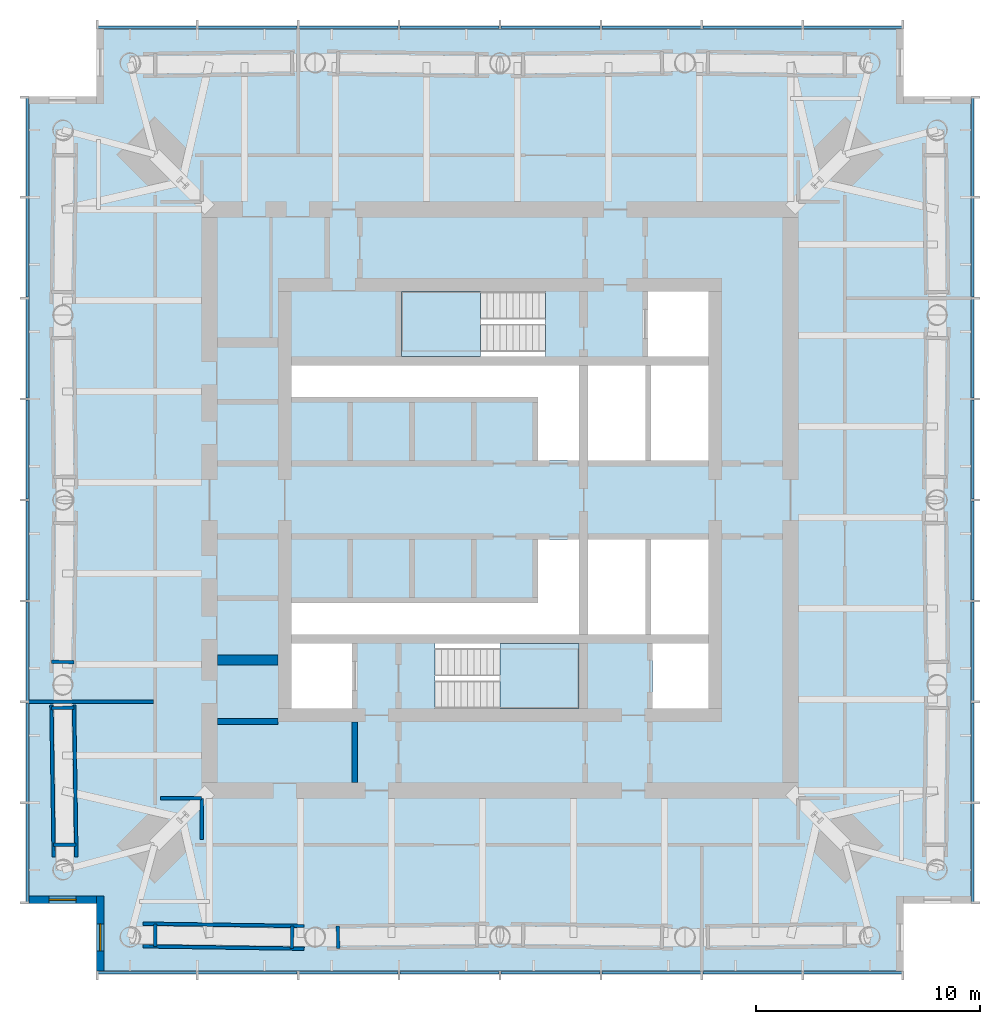
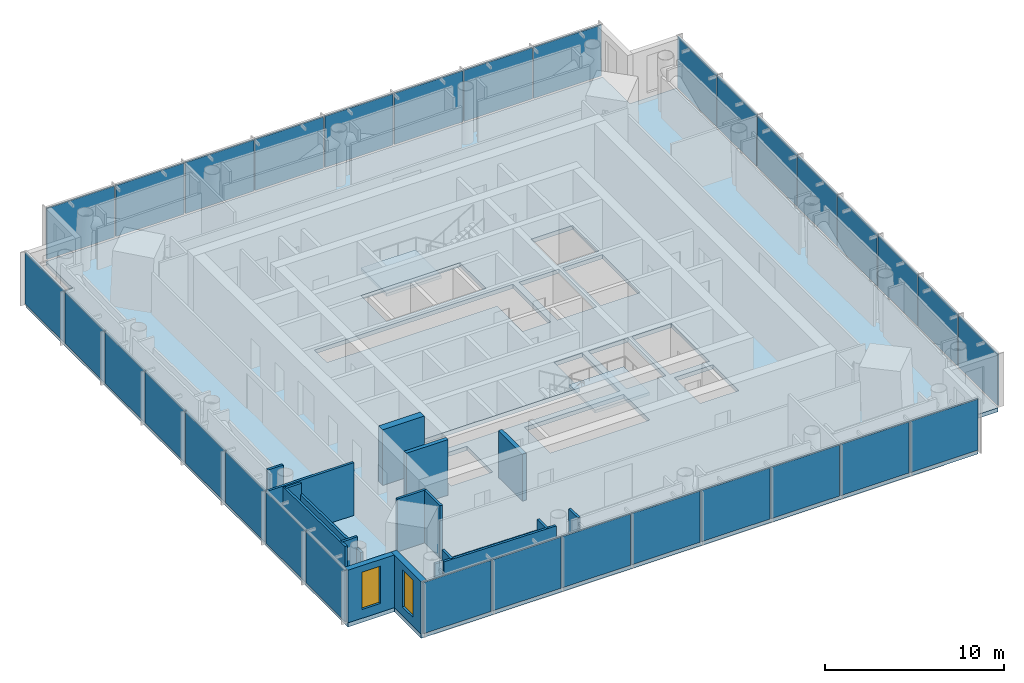
# One storey, part 4 of 9: 32 plates, 18 walls, 3 slabs, 2 windows, 2 openings, 6 elements without a shape of their own.
"""IFC4 building model written with IfcOpenShell, lengths in metres."""

from ifc_helpers import new_model, si_unit, direction, frame, frame_2d, origin, origin_2d, place, context, subcontext, project, spatial, polyline, rectangle, outline, extrude, material, layer, layer_set, type_object, element, fill, aggregate, save


model = new_model("IFC4")

# Units and contexts
model_context = context("Model", 3, precision=1e-05, world=origin(), true_north=direction((0.0, 1.0)))
body_context = subcontext(model_context, "Body", "Model", "MODEL_VIEW")
ifc_project = project(units=[si_unit("LENGTHUNIT", "METRE"), si_unit("AREAUNIT", "SQUARE_METRE"), si_unit("VOLUMEUNIT", "CUBIC_METRE"), si_unit("PLANEANGLEUNIT", "RADIAN"), si_unit("MASSUNIT", "GRAM", prefix="KILO")], contexts=[model_context])

# Site, building, storey
site_placement = place(None, origin())
site = spatial("IfcSite", under=ifc_project, at=site_placement, CompositionType="ELEMENT")
building_placement = place(site_placement, origin())
building = spatial("IfcBuilding", under=site, at=building_placement, Name="Ostroluk Exchange", CompositionType="ELEMENT")
storey_placement = place(building_placement, frame((0.0, 0.0, 161.60009765625)))
storey = spatial("IfcBuildingStorey", under=building, at=storey_placement, Name="L41", CompositionType="ELEMENT", Elevation=161.60009765625)

# Curtain wall, plates
ifc_material_1 = material(Name="Laminated clear glass", Category="glass")
curtain_wall_type = type_object("IfcCurtainWallType", Name="Office tower plant and sky lobby facade", PredefinedType="USERDEFINED", material=ifc_material_1)
curtain_wall_1_placement = place(storey_placement, origin())
curtain_wall_1 = element("IfcCurtainWall", 1, at=curtain_wall_1_placement, inside=storey, type_object=curtain_wall_type, Name="Office tower south facade L41", ObjectType="LOUVRED CURTAIN WALL", PredefinedType="USERDEFINED")
ifc_material_2 = material(Name="Aluminium louvre", Category="aluminium")
ifc_layer_1 = layer(ifc_material_2, 0.10009765625)
ifc_layer_set_1 = layer_set([ifc_layer_1], Name="Aluminium louvre panel 100")
plate_type = type_object("IfcPlateType", Name="Aluminium louvre panel 100", PredefinedType="USERDEFINED", material=ifc_layer_set_1)
plate_1_placement = place(storey_placement, frame((29.27001953125, 24.925048828125, 0.080078125), z_axis=(0.0, 0.0, 1.0), x_axis=(1.0, 0.0, 0.0)))
plate_1 = element("IfcPlate", 2, at=plate_1_placement, type_object=plate_type, Name="CW-P1 panel 1.1", ObjectType="LOUVRE PANEL", PredefinedType="USERDEFINED", context=body_context, shape_type="SweptSolid", body=[
    extrude(rectangle(XDim=4.3798828125, YDim=0.10009765625, at=origin_2d()), origin(), (0.0, 0.0, 1.0), 3.489990234375),
])
plate_2_placement = place(storey_placement, frame((33.75, 24.925048828125, 0.080078125), z_axis=(0.0, 0.0, 1.0), x_axis=(1.0, 0.0, 0.0)))
plate_2 = element("IfcPlate", 3, at=plate_2_placement, type_object=plate_type, Name="CW-P1 panel 2.1", ObjectType="LOUVRE PANEL", PredefinedType="USERDEFINED", context=body_context, shape_type="SweptSolid", body=[
    extrude(rectangle(XDim=4.419921875, YDim=0.10009765625, at=origin_2d()), origin(), (0.0, 0.0, 1.0), 3.489990234375),
])
plate_3_placement = place(storey_placement, frame((38.25, 24.925048828125, 0.080078125), z_axis=(0.0, 0.0, 1.0), x_axis=(1.0, 0.0, 0.0)))
plate_3 = element("IfcPlate", 4, at=plate_3_placement, type_object=plate_type, Name="CW-P1 panel 3.1", ObjectType="LOUVRE PANEL", PredefinedType="USERDEFINED", context=body_context, shape_type="SweptSolid", body=[
    extrude(rectangle(XDim=4.419921875, YDim=0.10009765625, at=origin_2d()), origin(), (0.0, 0.0, 1.0), 3.489990234375),
])
plate_4_placement = place(storey_placement, frame((42.75, 24.925048828125, 0.080078125), z_axis=(0.0, 0.0, 1.0), x_axis=(1.0, 0.0, 0.0)))
plate_4 = element("IfcPlate", 5, at=plate_4_placement, type_object=plate_type, Name="CW-P1 panel 4.1", ObjectType="LOUVRE PANEL", PredefinedType="USERDEFINED", context=body_context, shape_type="SweptSolid", body=[
    extrude(rectangle(XDim=4.419921875, YDim=0.10009765625, at=origin_2d()), origin(), (0.0, 0.0, 1.0), 3.489990234375),
])
plate_5_placement = place(storey_placement, frame((47.25, 24.925048828125, 0.080078125), z_axis=(0.0, 0.0, 1.0), x_axis=(1.0, 0.0, 0.0)))
plate_5 = element("IfcPlate", 6, at=plate_5_placement, type_object=plate_type, Name="CW-P1 panel 5.1", ObjectType="LOUVRE PANEL", PredefinedType="USERDEFINED", context=body_context, shape_type="SweptSolid", body=[
    extrude(rectangle(XDim=4.419921875, YDim=0.10009765625, at=origin_2d()), origin(), (0.0, 0.0, 1.0), 3.489990234375),
])
plate_6_placement = place(storey_placement, frame((51.75, 24.925048828125, 0.080078125), z_axis=(0.0, 0.0, 1.0), x_axis=(1.0, 0.0, 0.0)))
plate_6 = element("IfcPlate", 7, at=plate_6_placement, type_object=plate_type, Name="CW-P1 panel 6.1", ObjectType="LOUVRE PANEL", PredefinedType="USERDEFINED", context=body_context, shape_type="SweptSolid", body=[
    extrude(rectangle(XDim=4.419921875, YDim=0.10009765625, at=origin_2d()), origin(), (0.0, 0.0, 1.0), 3.489990234375),
])
plate_7_placement = place(storey_placement, frame((56.25, 24.925048828125, 0.080078125), z_axis=(0.0, 0.0, 1.0), x_axis=(1.0, 0.0, 0.0)))
plate_7 = element("IfcPlate", 8, at=plate_7_placement, type_object=plate_type, Name="CW-P1 panel 7.1", ObjectType="LOUVRE PANEL", PredefinedType="USERDEFINED", context=body_context, shape_type="SweptSolid", body=[
    extrude(rectangle(XDim=4.419921875, YDim=0.10009765625, at=origin_2d()), origin(), (0.0, 0.0, 1.0), 3.489990234375),
])
plate_8_placement = place(storey_placement, frame((60.72998046875, 24.925048828125, 0.080078125), z_axis=(0.0, 0.0, 1.0), x_axis=(1.0, 0.0, 0.0)))
plate_8 = element("IfcPlate", 9, at=plate_8_placement, type_object=plate_type, Name="CW-P1 panel 8.1", ObjectType="LOUVRE PANEL", PredefinedType="USERDEFINED", context=body_context, shape_type="SweptSolid", body=[
    extrude(rectangle(XDim=4.3798828125, YDim=0.10009765625, at=origin_2d()), origin(), (0.0, 0.0, 1.0), 3.489990234375),
])
aggregate(curtain_wall_1, [plate_1, plate_2, plate_3, plate_4, plate_5, plate_6, plate_7, plate_8])

curtain_wall_2_placement = place(storey_placement, origin())
curtain_wall_2 = element("IfcCurtainWall", 10, at=curtain_wall_2_placement, inside=storey, type_object=curtain_wall_type, Name="Office tower east facade L41", ObjectType="LOUVRED CURTAIN WALL", PredefinedType="USERDEFINED")
plate_9_placement = place(storey_placement, frame((66.074951171875, 30.27001953125, 0.080078125), z_axis=(0.0, 0.0, 1.0), x_axis=(0.0, 1.0, 0.0)))
plate_9 = element("IfcPlate", 11, at=plate_9_placement, type_object=plate_type, Name="CW-P1 panel 1.1", ObjectType="LOUVRE PANEL", PredefinedType="USERDEFINED", context=body_context, shape_type="SweptSolid", body=[
    extrude(rectangle(XDim=4.3798828125, YDim=0.10009765625, at=origin_2d()), origin(), (0.0, 0.0, 1.0), 3.489990234375),
])
plate_10_placement = place(storey_placement, frame((66.074951171875, 34.75, 0.080078125), z_axis=(0.0, 0.0, 1.0), x_axis=(0.0, 1.0, 0.0)))
plate_10 = element("IfcPlate", 12, at=plate_10_placement, type_object=plate_type, Name="CW-P1 panel 2.1", ObjectType="LOUVRE PANEL", PredefinedType="USERDEFINED", context=body_context, shape_type="SweptSolid", body=[
    extrude(rectangle(XDim=4.419921875, YDim=0.10009765625, at=origin_2d()), origin(), (0.0, 0.0, 1.0), 3.489990234375),
])
plate_11_placement = place(storey_placement, frame((66.074951171875, 39.25, 0.080078125), z_axis=(0.0, 0.0, 1.0), x_axis=(0.0, 1.0, 0.0)))
plate_11 = element("IfcPlate", 13, at=plate_11_placement, type_object=plate_type, Name="CW-P1 panel 3.1", ObjectType="LOUVRE PANEL", PredefinedType="USERDEFINED", context=body_context, shape_type="SweptSolid", body=[
    extrude(rectangle(XDim=4.419921875, YDim=0.10009765625, at=origin_2d()), origin(), (0.0, 0.0, 1.0), 3.489990234375),
])
plate_12_placement = place(storey_placement, frame((66.074951171875, 43.75, 0.080078125), z_axis=(0.0, 0.0, 1.0), x_axis=(0.0, 1.0, 0.0)))
plate_12 = element("IfcPlate", 14, at=plate_12_placement, type_object=plate_type, Name="CW-P1 panel 4.1", ObjectType="LOUVRE PANEL", PredefinedType="USERDEFINED", context=body_context, shape_type="SweptSolid", body=[
    extrude(rectangle(XDim=4.419921875, YDim=0.10009765625, at=origin_2d()), origin(), (0.0, 0.0, 1.0), 3.489990234375),
])
plate_13_placement = place(storey_placement, frame((66.074951171875, 48.25, 0.080078125), z_axis=(0.0, 0.0, 1.0), x_axis=(0.0, 1.0, 0.0)))
plate_13 = element("IfcPlate", 15, at=plate_13_placement, type_object=plate_type, Name="CW-P1 panel 5.1", ObjectType="LOUVRE PANEL", PredefinedType="USERDEFINED", context=body_context, shape_type="SweptSolid", body=[
    extrude(rectangle(XDim=4.419921875, YDim=0.10009765625, at=origin_2d()), origin(), (0.0, 0.0, 1.0), 3.489990234375),
])
plate_14_placement = place(storey_placement, frame((66.074951171875, 52.75, 0.080078125), z_axis=(0.0, 0.0, 1.0), x_axis=(0.0, 1.0, 0.0)))
plate_14 = element("IfcPlate", 16, at=plate_14_placement, type_object=plate_type, Name="CW-P1 panel 6.1", ObjectType="LOUVRE PANEL", PredefinedType="USERDEFINED", context=body_context, shape_type="SweptSolid", body=[
    extrude(rectangle(XDim=4.419921875, YDim=0.10009765625, at=origin_2d()), origin(), (0.0, 0.0, 1.0), 3.489990234375),
])
plate_15_placement = place(storey_placement, frame((66.074951171875, 57.25, 0.080078125), z_axis=(0.0, 0.0, 1.0), x_axis=(0.0, 1.0, 0.0)))
plate_15 = element("IfcPlate", 17, at=plate_15_placement, type_object=plate_type, Name="CW-P1 panel 7.1", ObjectType="LOUVRE PANEL", PredefinedType="USERDEFINED", context=body_context, shape_type="SweptSolid", body=[
    extrude(rectangle(XDim=4.419921875, YDim=0.10009765625, at=origin_2d()), origin(), (0.0, 0.0, 1.0), 3.489990234375),
])
plate_16_placement = place(storey_placement, frame((66.074951171875, 61.72998046875, 0.080078125), z_axis=(0.0, 0.0, 1.0), x_axis=(0.0, 1.0, 0.0)))
plate_16 = element("IfcPlate", 18, at=plate_16_placement, type_object=plate_type, Name="CW-P1 panel 8.1", ObjectType="LOUVRE PANEL", PredefinedType="USERDEFINED", context=body_context, shape_type="SweptSolid", body=[
    extrude(rectangle(XDim=4.3798828125, YDim=0.10009765625, at=origin_2d()), origin(), (0.0, 0.0, 1.0), 3.489990234375),
])
aggregate(curtain_wall_2, [plate_9, plate_10, plate_11, plate_12, plate_13, plate_14, plate_15, plate_16])

curtain_wall_3_placement = place(storey_placement, origin())
curtain_wall_3 = element("IfcCurtainWall", 19, at=curtain_wall_3_placement, inside=storey, type_object=curtain_wall_type, Name="Office tower north facade L41", ObjectType="LOUVRED CURTAIN WALL", PredefinedType="USERDEFINED")
plate_17_placement = place(storey_placement, frame((60.72998046875, 67.074951171875, 0.080078125), z_axis=(0.0, 0.0, 1.0), x_axis=(-1.0, 0.0, 0.0)))
plate_17 = element("IfcPlate", 20, at=plate_17_placement, type_object=plate_type, Name="CW-P1 panel 1.1", ObjectType="LOUVRE PANEL", PredefinedType="USERDEFINED", context=body_context, shape_type="SweptSolid", body=[
    extrude(rectangle(XDim=4.3798828125, YDim=0.10009765625, at=origin_2d()), origin(), (0.0, 0.0, 1.0), 3.489990234375),
])
plate_18_placement = place(storey_placement, frame((56.25, 67.074951171875, 0.080078125), z_axis=(0.0, 0.0, 1.0), x_axis=(-1.0, 0.0, 0.0)))
plate_18 = element("IfcPlate", 21, at=plate_18_placement, type_object=plate_type, Name="CW-P1 panel 2.1", ObjectType="LOUVRE PANEL", PredefinedType="USERDEFINED", context=body_context, shape_type="SweptSolid", body=[
    extrude(rectangle(XDim=4.419921875, YDim=0.10009765625, at=origin_2d()), origin(), (0.0, 0.0, 1.0), 3.489990234375),
])
plate_19_placement = place(storey_placement, frame((51.75, 67.074951171875, 0.080078125), z_axis=(0.0, 0.0, 1.0), x_axis=(-1.0, 0.0, 0.0)))
plate_19 = element("IfcPlate", 22, at=plate_19_placement, type_object=plate_type, Name="CW-P1 panel 3.1", ObjectType="LOUVRE PANEL", PredefinedType="USERDEFINED", context=body_context, shape_type="SweptSolid", body=[
    extrude(rectangle(XDim=4.419921875, YDim=0.10009765625, at=origin_2d()), origin(), (0.0, 0.0, 1.0), 3.489990234375),
])
plate_20_placement = place(storey_placement, frame((47.25, 67.074951171875, 0.080078125), z_axis=(0.0, 0.0, 1.0), x_axis=(-1.0, 0.0, 0.0)))
plate_20 = element("IfcPlate", 23, at=plate_20_placement, type_object=plate_type, Name="CW-P1 panel 4.1", ObjectType="LOUVRE PANEL", PredefinedType="USERDEFINED", context=body_context, shape_type="SweptSolid", body=[
    extrude(rectangle(XDim=4.419921875, YDim=0.10009765625, at=origin_2d()), origin(), (0.0, 0.0, 1.0), 3.489990234375),
])
plate_21_placement = place(storey_placement, frame((42.75, 67.074951171875, 0.080078125), z_axis=(0.0, 0.0, 1.0), x_axis=(-1.0, 0.0, 0.0)))
plate_21 = element("IfcPlate", 24, at=plate_21_placement, type_object=plate_type, Name="CW-P1 panel 5.1", ObjectType="LOUVRE PANEL", PredefinedType="USERDEFINED", context=body_context, shape_type="SweptSolid", body=[
    extrude(rectangle(XDim=4.419921875, YDim=0.10009765625, at=origin_2d()), origin(), (0.0, 0.0, 1.0), 3.489990234375),
])
plate_22_placement = place(storey_placement, frame((38.25, 67.074951171875, 0.080078125), z_axis=(0.0, 0.0, 1.0), x_axis=(-1.0, 0.0, 0.0)))
plate_22 = element("IfcPlate", 25, at=plate_22_placement, type_object=plate_type, Name="CW-P1 panel 6.1", ObjectType="LOUVRE PANEL", PredefinedType="USERDEFINED", context=body_context, shape_type="SweptSolid", body=[
    extrude(rectangle(XDim=4.419921875, YDim=0.10009765625, at=origin_2d()), origin(), (0.0, 0.0, 1.0), 3.489990234375),
])
plate_23_placement = place(storey_placement, frame((33.75, 67.074951171875, 0.080078125), z_axis=(0.0, 0.0, 1.0), x_axis=(-1.0, 0.0, 0.0)))
plate_23 = element("IfcPlate", 26, at=plate_23_placement, type_object=plate_type, Name="CW-P1 panel 7.1", ObjectType="LOUVRE PANEL", PredefinedType="USERDEFINED", context=body_context, shape_type="SweptSolid", body=[
    extrude(rectangle(XDim=4.419921875, YDim=0.10009765625, at=origin_2d()), origin(), (0.0, 0.0, 1.0), 3.489990234375),
])
plate_24_placement = place(storey_placement, frame((29.27001953125, 67.074951171875, 0.080078125), z_axis=(0.0, 0.0, 1.0), x_axis=(-1.0, 0.0, 0.0)))
plate_24 = element("IfcPlate", 27, at=plate_24_placement, type_object=plate_type, Name="CW-P1 panel 8.1", ObjectType="LOUVRE PANEL", PredefinedType="USERDEFINED", context=body_context, shape_type="SweptSolid", body=[
    extrude(rectangle(XDim=4.3798828125, YDim=0.10009765625, at=origin_2d()), origin(), (0.0, 0.0, 1.0), 3.489990234375),
])
aggregate(curtain_wall_3, [plate_17, plate_18, plate_19, plate_20, plate_21, plate_22, plate_23, plate_24])

curtain_wall_4_placement = place(storey_placement, origin())
curtain_wall_4 = element("IfcCurtainWall", 28, at=curtain_wall_4_placement, inside=storey, type_object=curtain_wall_type, Name="Office tower west facade L41", ObjectType="LOUVRED CURTAIN WALL", PredefinedType="USERDEFINED")
plate_25_placement = place(storey_placement, frame((23.925048828125, 61.72998046875, 0.080078125), z_axis=(0.0, 0.0, 1.0), x_axis=(0.0, -1.0, 0.0)))
plate_25 = element("IfcPlate", 29, at=plate_25_placement, type_object=plate_type, Name="CW-P1 panel 1.1", ObjectType="LOUVRE PANEL", PredefinedType="USERDEFINED", context=body_context, shape_type="SweptSolid", body=[
    extrude(rectangle(XDim=4.3798828125, YDim=0.10009765625, at=origin_2d()), origin(), (0.0, 0.0, 1.0), 3.489990234375),
])
plate_26_placement = place(storey_placement, frame((23.925048828125, 57.25, 0.080078125), z_axis=(0.0, 0.0, 1.0), x_axis=(0.0, -1.0, 0.0)))
plate_26 = element("IfcPlate", 30, at=plate_26_placement, type_object=plate_type, Name="CW-P1 panel 2.1", ObjectType="LOUVRE PANEL", PredefinedType="USERDEFINED", context=body_context, shape_type="SweptSolid", body=[
    extrude(rectangle(XDim=4.419921875, YDim=0.10009765625, at=origin_2d()), origin(), (0.0, 0.0, 1.0), 3.489990234375),
])
plate_27_placement = place(storey_placement, frame((23.925048828125, 52.75, 0.080078125), z_axis=(0.0, 0.0, 1.0), x_axis=(0.0, -1.0, 0.0)))
plate_27 = element("IfcPlate", 31, at=plate_27_placement, type_object=plate_type, Name="CW-P1 panel 3.1", ObjectType="LOUVRE PANEL", PredefinedType="USERDEFINED", context=body_context, shape_type="SweptSolid", body=[
    extrude(rectangle(XDim=4.419921875, YDim=0.10009765625, at=origin_2d()), origin(), (0.0, 0.0, 1.0), 3.489990234375),
])
plate_28_placement = place(storey_placement, frame((23.925048828125, 48.25, 0.080078125), z_axis=(0.0, 0.0, 1.0), x_axis=(0.0, -1.0, 0.0)))
plate_28 = element("IfcPlate", 32, at=plate_28_placement, type_object=plate_type, Name="CW-P1 panel 4.1", ObjectType="LOUVRE PANEL", PredefinedType="USERDEFINED", context=body_context, shape_type="SweptSolid", body=[
    extrude(rectangle(XDim=4.419921875, YDim=0.10009765625, at=origin_2d()), origin(), (0.0, 0.0, 1.0), 3.489990234375),
])
plate_29_placement = place(storey_placement, frame((23.925048828125, 43.75, 0.080078125), z_axis=(0.0, 0.0, 1.0), x_axis=(0.0, -1.0, 0.0)))
plate_29 = element("IfcPlate", 33, at=plate_29_placement, type_object=plate_type, Name="CW-P1 panel 5.1", ObjectType="LOUVRE PANEL", PredefinedType="USERDEFINED", context=body_context, shape_type="SweptSolid", body=[
    extrude(rectangle(XDim=4.419921875, YDim=0.10009765625, at=origin_2d()), origin(), (0.0, 0.0, 1.0), 3.489990234375),
])
plate_30_placement = place(storey_placement, frame((23.925048828125, 39.25, 0.080078125), z_axis=(0.0, 0.0, 1.0), x_axis=(0.0, -1.0, 0.0)))
plate_30 = element("IfcPlate", 34, at=plate_30_placement, type_object=plate_type, Name="CW-P1 panel 6.1", ObjectType="LOUVRE PANEL", PredefinedType="USERDEFINED", context=body_context, shape_type="SweptSolid", body=[
    extrude(rectangle(XDim=4.419921875, YDim=0.10009765625, at=origin_2d()), origin(), (0.0, 0.0, 1.0), 3.489990234375),
])
plate_31_placement = place(storey_placement, frame((23.925048828125, 34.75, 0.080078125), z_axis=(0.0, 0.0, 1.0), x_axis=(0.0, -1.0, 0.0)))
plate_31 = element("IfcPlate", 35, at=plate_31_placement, type_object=plate_type, Name="CW-P1 panel 7.1", ObjectType="LOUVRE PANEL", PredefinedType="USERDEFINED", context=body_context, shape_type="SweptSolid", body=[
    extrude(rectangle(XDim=4.419921875, YDim=0.10009765625, at=origin_2d()), origin(), (0.0, 0.0, 1.0), 3.489990234375),
])
plate_32_placement = place(storey_placement, frame((23.925048828125, 30.27001953125, 0.080078125), z_axis=(0.0, 0.0, 1.0), x_axis=(0.0, -1.0, 0.0)))
plate_32 = element("IfcPlate", 36, at=plate_32_placement, type_object=plate_type, Name="CW-P1 panel 8.1", ObjectType="LOUVRE PANEL", PredefinedType="USERDEFINED", context=body_context, shape_type="SweptSolid", body=[
    extrude(rectangle(XDim=4.3798828125, YDim=0.10009765625, at=origin_2d()), origin(), (0.0, 0.0, 1.0), 3.489990234375),
])
aggregate(curtain_wall_4, [plate_25, plate_26, plate_27, plate_28, plate_29, plate_30, plate_31, plate_32])

# Stair, slab
ifc_material_3 = material(Name="Concrete C30/37", Category="concrete")
stair_type = type_object("IfcStairType", Name="Exit stair half turn 3800", PredefinedType="HALF_TURN_STAIR", material=ifc_material_3)
stair_1_placement = place(storey_placement, origin())
stair_1 = element("IfcStair", 37, at=stair_1_placement, inside=storey, type_object=stair_type, Name="Stair T1-S1 L41", PredefinedType="HALF_TURN_STAIR")
ifc_material_4 = material(Name="Concrete C30/37", Category="concrete")
ifc_layer_2 = layer(ifc_material_4, 0.199951171875)
ifc_layer_set_2 = layer_set([ifc_layer_2], Name="Stair landing 200")
slab_type_1 = type_object("IfcSlabType", Name="Stair landing 200", PredefinedType="LANDING", material=ifc_layer_set_2)
slab_1_placement = place(storey_placement, frame((0.0, 0.0, 1.699951171875)))
slab_1 = element("IfcSlab", 38, at=slab_1_placement, type_object=slab_type_1, Name="T1-S1 landing 1", PredefinedType="LANDING", context=body_context, shape_type="SweptSolid", body=[
    extrude(outline(polyline([(45.0, 36.699951171875), (45.0, 39.60009765625), (48.530029296875, 39.60009765625), (48.530029296875, 36.699951171875), (45.0, 36.699951171875)])), origin(), (0.0, 0.0, 1.0), 0.199951171875),
])
aggregate(stair_1, [slab_1])

stair_2_placement = place(storey_placement, origin())
stair_2 = element("IfcStair", 39, at=stair_2_placement, inside=storey, type_object=stair_type, Name="Stair T1-S2 L41", PredefinedType="HALF_TURN_STAIR")
slab_2_placement = place(storey_placement, frame((0.0, 0.0, 1.699951171875)))
slab_2 = element("IfcSlab", 40, at=slab_2_placement, type_object=slab_type_1, Name="T1-S2 landing 1", PredefinedType="LANDING", context=body_context, shape_type="SweptSolid", body=[
    extrude(outline(polyline([(44.1298828125, 52.39990234375), (44.1298828125, 55.300048828125), (40.60009765625, 55.300048828125), (40.60009765625, 52.39990234375), (44.1298828125, 52.39990234375)])), origin(), (0.0, 0.0, 1.0), 0.199951171875),
])
aggregate(stair_2, [slab_2])

# Slab
ifc_material_5 = material(Name="Concrete C35/45", Category="concrete")
ifc_layer_3 = layer(ifc_material_5, 0.280029296875)
ifc_layer_set_3 = layer_set([ifc_layer_3], Name="Tower floor slab 280")
slab_type_2 = type_object("IfcSlabType", Name="Tower floor slab 280", PredefinedType="FLOOR", material=ifc_layer_set_3)
slab_3_placement = place(storey_placement, frame((0.0, 0.0, -0.280029296875)))
element("IfcSlab", 41, at=slab_3_placement, inside=storey, type_object=slab_type_2, Name="Office tower floor slab L41", PredefinedType="FLOOR", context=body_context, shape_type="SweptSolid", body=[
    extrude(outline(polyline([(27.0, 25.0), (63.0, 25.0), (63.0, 28.0), (66.0, 28.0), (66.0, 64.0), (63.0, 64.0), (63.0, 67.0), (27.0, 67.0), (27.0, 64.0), (24.0, 64.0), (24.0, 28.0), (27.0, 28.0), (27.0, 25.0)]), holes=[polyline([(35.699951171875, 36.699951171875), (38.39990234375, 36.699951171875), (38.39990234375, 39.60009765625), (35.699951171875, 39.60009765625), (35.699951171875, 36.699951171875)]), polyline([(42.110107421875, 36.699951171875), (48.530029296875, 36.699951171875), (48.530029296875, 39.60009765625), (42.110107421875, 39.60009765625), (42.110107421875, 36.699951171875)]), polyline([(51.800048828125, 36.699951171875), (54.300048828125, 36.699951171875), (54.300048828125, 39.60009765625), (51.800048828125, 39.60009765625), (51.800048828125, 36.699951171875)]), polyline([(40.60009765625, 52.39990234375), (47.02001953125, 52.39990234375), (47.02001953125, 55.300048828125), (40.60009765625, 55.300048828125), (40.60009765625, 52.39990234375)]), polyline([(51.60009765625, 52.39990234375), (54.300048828125, 52.39990234375), (54.300048828125, 55.300048828125), (51.60009765625, 55.300048828125), (51.60009765625, 52.39990234375)]), polyline([(48.929931640625, 47.75), (51.489990234375, 47.75), (51.489990234375, 52.0), (48.929931640625, 52.0), (48.929931640625, 47.75)]), polyline([(51.739990234375, 47.75), (54.300048828125, 47.75), (54.300048828125, 52.0), (51.739990234375, 52.0), (51.739990234375, 47.75)]), polyline([(48.929931640625, 40.0), (51.489990234375, 40.0), (51.489990234375, 44.25), (48.929931640625, 44.25), (48.929931640625, 40.0)]), polyline([(51.739990234375, 40.0), (54.300048828125, 40.0), (54.300048828125, 44.25), (51.739990234375, 44.25), (51.739990234375, 40.0)]), polyline([(48.530029296875, 52.0), (48.530029296875, 47.75), (46.699951171875, 47.75), (46.699951171875, 50.60009765625), (35.699951171875, 50.60009765625), (35.699951171875, 52.0), (48.530029296875, 52.0)]), polyline([(35.699951171875, 40.0), (35.699951171875, 41.39990234375), (46.699951171875, 41.39990234375), (46.699951171875, 44.25), (48.530029296875, 44.25), (48.530029296875, 40.0), (35.699951171875, 40.0)])]), origin(), (0.0, 0.0, 1.0), 0.280029296875),
])

# Walls
ifc_material_6 = material(Name="Concrete blockwork", Category="masonry")
ifc_layer_4 = layer(ifc_material_6, 0.25)
ifc_layer_set_4 = layer_set([ifc_layer_4], Name="Blockwork stair enclosure wall 250")
wall_type_1 = type_object("IfcWallType", Name="Blockwork stair enclosure wall 250", PredefinedType="SOLIDWALL", material=ifc_layer_set_4)
wall_1_placement = place(storey_placement, frame((38.52490234375, 33.39990234375, 0.0), z_axis=(0.0, 0.0, 1.0), x_axis=(0.0, 1.0, 0.0)))
element("IfcWall", 42, at=wall_1_placement, inside=storey, type_object=wall_type_1, Name="Fire lobby enclosure wall", PredefinedType="SOLIDWALL", context=body_context, shape_type="SweptSolid", body=[
    extrude(rectangle(XDim=2.7001953125, YDim=0.25, at=frame_2d((1.35009765625, 0.0))), origin(), (0.0, 0.0, 1.0), 3.199951171875),
])
ifc_material_7 = material(Name="Concrete C40/50", Category="concrete")
ifc_layer_5 = layer(ifc_material_7, 0.25)
ifc_layer_set_5 = layer_set([ifc_layer_5], Name="Core shaft wall 250")
wall_type_2 = type_object("IfcWallType", Name="Core shaft wall 250", PredefinedType="SHEAR", material=ifc_layer_set_5)
wall_2_placement = place(storey_placement, frame((32.39990234375, 36.125, 0.0), z_axis=(0.0, 0.0, 1.0), x_axis=(1.0, 0.0, 0.0)))
element("IfcWall", 43, at=wall_2_placement, inside=storey, type_object=wall_type_2, Name="Lift shaft wall", PredefinedType="SHEAR", context=body_context, shape_type="SweptSolid", body=[
    extrude(rectangle(XDim=2.7001953125, YDim=0.25, at=frame_2d((1.35009765625, 0.0))), origin(), (0.0, 0.0, 1.0), 3.7998046875),
])
wall_3_placement = place(storey_placement, frame((32.39990234375, 38.875, 0.0), z_axis=(0.0, 0.0, 1.0), x_axis=(1.0, 0.0, 0.0)))
element("IfcWall", 44, at=wall_3_placement, inside=storey, type_object=wall_type_2, Name="Lift shaft wall", PredefinedType="SHEAR", context=body_context, shape_type="SweptSolid", body=[
    extrude(rectangle(XDim=2.7001953125, YDim=0.449951171875, at=frame_2d((1.35009765625, 0.0))), origin(), (0.0, 0.0, 1.0), 3.7998046875),
])

# Wall, opening, window
ifc_material_8 = material(Name="Limestone", Category="masonry")
ifc_layer_6 = layer(ifc_material_8, 0.35009765625)
ifc_layer_set_6 = layer_set([ifc_layer_6], Name="Limestone facade wall 350")
wall_type_3 = type_object("IfcWallType", Name="Limestone facade wall 350", PredefinedType="SOLIDWALL", material=ifc_layer_set_6)
wall_4_placement = place(storey_placement, frame((27.175048828125, 25.0, 0.0), z_axis=(0.0, 0.0, 1.0), x_axis=(0.0, 1.0, 0.0)))
wall_4 = element("IfcWall", 45, at=wall_4_placement, inside=storey, type_object=wall_type_3, Name="Office tower SW corner wall L41 a", PredefinedType="SOLIDWALL", context=body_context, shape_type="SweptSolid", body=[
    extrude(rectangle(XDim=3.35009765625, YDim=0.35009765625, at=frame_2d((1.675048828125, 0.0))), origin(), (0.0, 0.0, 1.0), 3.599853515625),
])
opening_1_placement = place(wall_4_placement, frame((0.89990234375, 0.0, 0.60009765625)))
opening_1 = element("IfcOpeningElement", 46, at=opening_1_placement, cuts=wall_4, Name="Opening WN-LV1", PredefinedType="OPENING", context=body_context, shape_type="SweptSolid", body=[
    extrude(rectangle(XDim=1.199951171875, YDim=2.550048828125, at=frame_2d((0.60009765625, 1.27490234375))), frame((0.0, 0.18505859375, 0.0), z_axis=(0.0, -1.0, 0.0), x_axis=(1.0, 0.0, 0.0)), (0.0, 0.0, 1.0), 0.3701171875),
])
ifc_material_9 = material(Name="Aluminium louvre", Category="aluminium")
window_type = type_object("IfcWindowType", Name="Lancet louvre 1200 x 2550", PartitioningType="SINGLE_PANEL", PredefinedType="USERDEFINED", material=ifc_material_9)
window_1_placement = place(opening_1_placement, origin())
window_1 = element("IfcWindow", 47, at=window_1_placement, inside=storey, type_object=window_type, Name="Office tower SW plant louvre L41", ObjectType="LOUVRE", OverallHeight=2.550048828125, OverallWidth=1.199951171875, PartitioningType="SINGLE_PANEL", PredefinedType="USERDEFINED", context=body_context, shape_type="SweptSolid", body=[
    extrude(rectangle(XDim=1.199951171875, YDim=2.550048828125, at=frame_2d((0.60009765625, 1.27490234375))), frame((0.0, 0.030029296875, 0.0), z_axis=(0.0, -1.0, 0.0), x_axis=(1.0, 0.0, 0.0)), (0.0, 0.0, 1.0), 0.06005859375),
])
fill(opening_1, window_1)

wall_5_placement = place(storey_placement, frame((27.0, 28.175048828125, 0.0), z_axis=(0.0, 0.0, 1.0), x_axis=(-1.0, 0.0, 0.0)))
wall_5 = element("IfcWall", 48, at=wall_5_placement, inside=storey, type_object=wall_type_3, Name="Office tower SW corner wall L41 b", PredefinedType="SOLIDWALL", context=body_context, shape_type="SweptSolid", body=[
    extrude(rectangle(XDim=3.0, YDim=0.35009765625, at=frame_2d((1.5, 0.0))), origin(), (0.0, 0.0, 1.0), 3.599853515625),
])
opening_2_placement = place(wall_5_placement, frame((0.89990234375, 0.0, 0.60009765625)))
opening_2 = element("IfcOpeningElement", 49, at=opening_2_placement, cuts=wall_5, Name="Opening WN-LV1", PredefinedType="OPENING", context=body_context, shape_type="SweptSolid", body=[
    extrude(rectangle(XDim=1.199951171875, YDim=2.550048828125, at=frame_2d((0.60009765625, 1.27490234375))), frame((0.0, 0.18505859375, 0.0), z_axis=(0.0, -1.0, 0.0), x_axis=(1.0, 0.0, 0.0)), (0.0, 0.0, 1.0), 0.3701171875),
])
window_2_placement = place(opening_2_placement, origin())
window_2 = element("IfcWindow", 50, at=window_2_placement, inside=storey, type_object=window_type, Name="Office tower SW plant louvre L41", ObjectType="LOUVRE", OverallHeight=2.550048828125, OverallWidth=1.199951171875, PartitioningType="SINGLE_PANEL", PredefinedType="USERDEFINED", context=body_context, shape_type="SweptSolid", body=[
    extrude(rectangle(XDim=1.199951171875, YDim=2.550048828125, at=frame_2d((0.60009765625, 1.27490234375))), frame((0.0, 0.030029296875, 0.0), z_axis=(0.0, -1.0, 0.0), x_axis=(1.0, 0.0, 0.0)), (0.0, 0.0, 1.0), 0.06005859375),
])
fill(opening_2, window_2)

# Walls
ifc_material_10 = material(Name="Gypsum plasterboard partition", Category="gypsum")
ifc_layer_7 = layer(ifc_material_10, 0.14990234375)
ifc_layer_set_7 = layer_set([ifc_layer_7], Name="Plasterboard partition 150")
wall_type_4 = type_object("IfcWallType", Name="Plasterboard partition 150", PredefinedType="PARTITIONING", material=ifc_layer_set_7)
wall_6_placement = place(storey_placement, frame((31.699951171875, 32.699951171875, 0.0), z_axis=(0.0, 0.0, 1.0), x_axis=(-1.0, 0.0, 0.0)))
element("IfcWall", 51, at=wall_6_placement, inside=storey, type_object=wall_type_4, Name="Partition", PredefinedType="PARTITIONING", context=body_context, shape_type="SweptSolid", body=[
    extrude(rectangle(XDim=1.828857421875, YDim=0.14990234375, at=frame_2d((0.91455078125, 0.0))), origin(), (0.0, 0.0, 1.0), 3.599853515625),
])
wall_7_placement = place(storey_placement, frame((29.550048828125, 37.0, 0.0), z_axis=(0.0, 0.0, 1.0), x_axis=(-1.0, 0.0, 0.0)))
element("IfcWall", 52, at=wall_7_placement, inside=storey, type_object=wall_type_4, Name="Partition", PredefinedType="PARTITIONING", context=body_context, shape_type="SweptSolid", body=[
    extrude(rectangle(XDim=5.590087890625, YDim=0.14990234375, at=frame_2d((2.794921875, 0.0))), origin(), (0.0, 0.0, 1.0), 3.599853515625),
])
wall_8_placement = place(storey_placement, frame((31.699951171875, 32.699951171875, 0.0), z_axis=(0.0, 0.0, 1.0), x_axis=(0.0, -1.0, 0.0)))
element("IfcWall", 53, at=wall_8_placement, inside=storey, type_object=wall_type_4, Name="Partition", PredefinedType="PARTITIONING", context=body_context, shape_type="SweptSolid", body=[
    extrude(rectangle(XDim=1.828857421875, YDim=0.14990234375, at=frame_2d((0.91455078125, 0.0))), origin(), (0.0, 0.0, 1.0), 3.599853515625),
])
wall_9_placement = place(storey_placement, frame((29.08837890625, 27.11376953125, 0.0), z_axis=(0.0, 0.0, 1.0), x_axis=(0.99988857463, -0.014927770252, 0.0)))
element("IfcWall", 54, at=wall_9_placement, inside=storey, type_object=wall_type_4, Name="Partition", PredefinedType="PARTITIONING", context=body_context, shape_type="SweptSolid", body=[
    extrude(rectangle(XDim=7.1796875, YDim=0.14990234375, at=frame_2d((3.58984375, 0.0))), origin(), (0.0, 0.0, 1.0), 2.829833984375),
])
wall_10_placement = place(storey_placement, frame((35.737548828125, 27.014404296875, 0.0), z_axis=(0.0, 0.0, 1.0), x_axis=(-0.014945293008, -0.999888312871, 0.0)))
element("IfcWall", 55, at=wall_10_placement, inside=storey, type_object=wall_type_4, Name="Partition", PredefinedType="PARTITIONING", context=body_context, shape_type="SweptSolid", body=[
    extrude(rectangle(XDim=1.0126953125, YDim=0.14990234375, at=frame_2d((0.50634765625, 0.0))), origin(), (0.0, 0.0, 1.0), 3.599853515625),
])
wall_11_placement = place(storey_placement, frame((36.272216796875, 25.993408203125, 0.0), z_axis=(0.0, 0.0, 1.0), x_axis=(-0.999888377943, 0.014940938881, 0.0)))
element("IfcWall", 56, at=wall_11_placement, inside=storey, type_object=wall_type_4, Name="Partition", PredefinedType="PARTITIONING", context=body_context, shape_type="SweptSolid", body=[
    extrude(rectangle(XDim=7.189697265625, YDim=0.14990234375, at=frame_2d((3.5947265625, 0.0))), origin(), (0.0, 0.0, 1.0), 3.599853515625),
])
for number, where, z_axis, x_axis, name in (
    (57, (29.623291015625, 26.0927734375, 0.0), (0.0, 0.0, 1.0), (0.014945293008, 0.999888312871, 0.0), "Partition"),
    (58, (37.78564453125, 26.001708984375, 0.0), (0.0, 0.0, 1.0), (-0.014704292442, 0.999891886048, 0.0), "Partition"),
    (59, (26.10546875, 30.638427734375, 0.0), (0.0, 0.0, 1.0), (-0.999888312871, -0.014945293008, 0.0), "Partition"),
):
    element("IfcWall", number, at=place(storey_placement, frame(where, z_axis=z_axis, x_axis=x_axis)), inside=storey, type_object=wall_type_4, Name=name, PredefinedType="PARTITIONING", context=body_context, shape_type="SweptSolid", body=[
        extrude(rectangle(XDim=1.0126953125, YDim=0.14990234375, at=frame_2d((0.50634765625, 0.0))), origin(), (0.0, 0.0, 1.0), 3.599853515625),
    ])
wall_12_placement = place(storey_placement, frame((25.100830078125, 30.083251953125, 0.0), z_axis=(0.0, 0.0, 1.0), x_axis=(-0.014935015518, 0.999888466436, 0.0)))
element("IfcWall", 60, at=wall_12_placement, inside=storey, type_object=wall_type_4, Name="Partition", PredefinedType="PARTITIONING", context=body_context, shape_type="SweptSolid", body=[
    extrude(rectangle(XDim=6.767578125, YDim=0.14990234375, at=frame_2d((3.3837890625, 0.0))), origin(), (0.0, 0.0, 1.0), 3.599853515625),
])
wall_13_placement = place(storey_placement, frame((25.001708984375, 36.722412109375, 0.0), z_axis=(0.0, 0.0, 1.0), x_axis=(0.999888312871, 0.014945293008, 0.0)))
element("IfcWall", 61, at=wall_13_placement, inside=storey, type_object=wall_type_4, Name="Partition", PredefinedType="PARTITIONING", context=body_context, shape_type="SweptSolid", body=[
    extrude(rectangle(XDim=1.0126953125, YDim=0.14990234375, at=frame_2d((0.50634765625, 0.0))), origin(), (0.0, 0.0, 1.0), 3.599853515625),
])
wall_14_placement = place(storey_placement, frame((26.0126953125, 36.85009765625, 0.0), z_axis=(0.0, 0.0, 1.0), x_axis=(0.014946337199, -0.999888297263, 0.0)))
element("IfcWall", 62, at=wall_14_placement, inside=storey, type_object=wall_type_4, Name="Partition", PredefinedType="PARTITIONING", context=body_context, shape_type="SweptSolid", body=[
    extrude(rectangle(XDim=6.762451171875, YDim=0.14990234375, at=frame_2d((3.38134765625, 0.0))), origin(), (0.0, 0.0, 1.0), 2.829833984375),
])
wall_15_placement = place(storey_placement, frame((26.014404296875, 38.770751953125, 0.0), z_axis=(0.0, 0.0, 1.0), x_axis=(-0.999891886048, 0.014704292442, 0.0)))
element("IfcWall", 63, at=wall_15_placement, inside=storey, type_object=wall_type_4, Name="Partition", PredefinedType="PARTITIONING", context=body_context, shape_type="SweptSolid", body=[
    extrude(rectangle(XDim=1.0126953125, YDim=0.14990234375, at=frame_2d((0.50634765625, 0.0))), origin(), (0.0, 0.0, 1.0), 3.599853515625),
])

save(model, "model.ifc")
